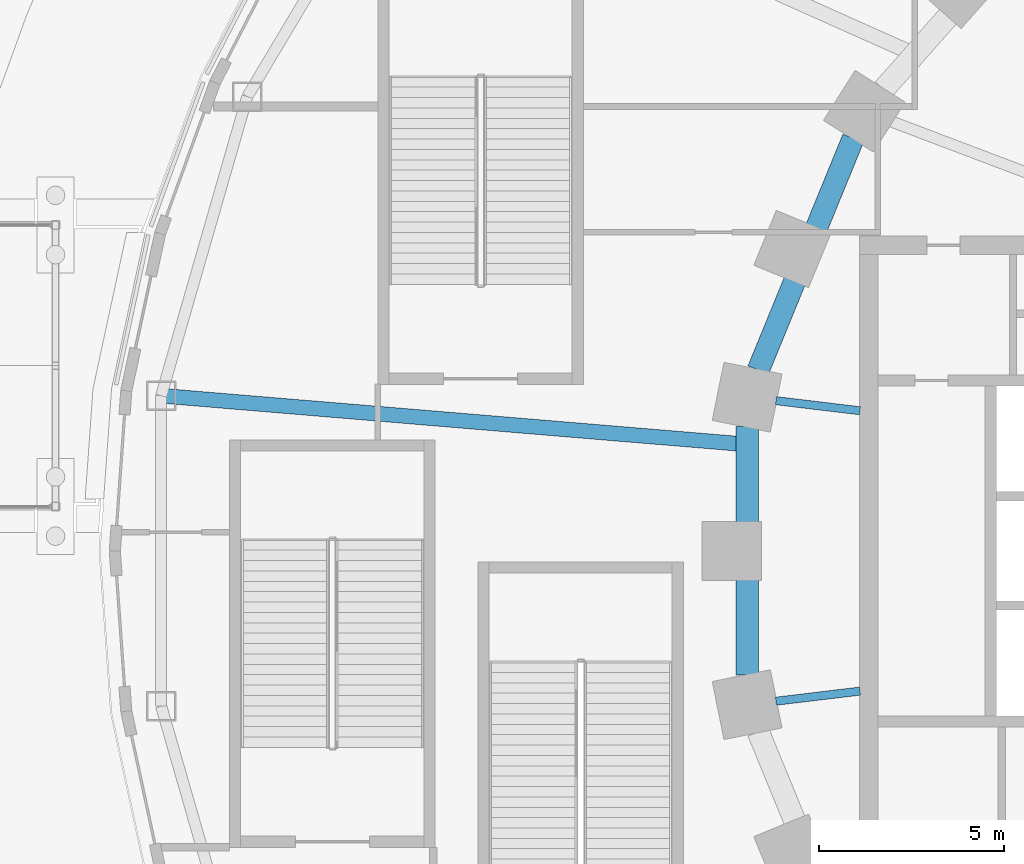
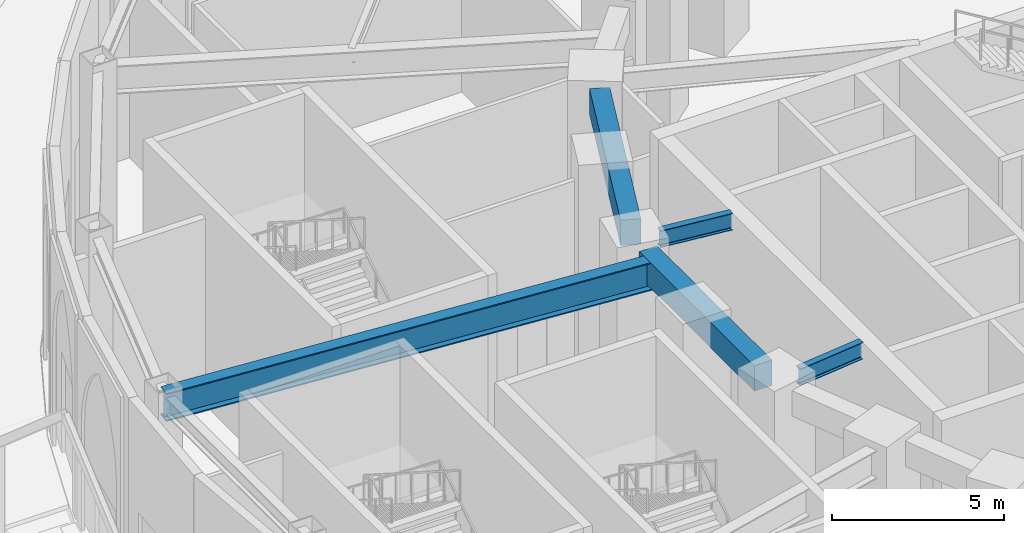
# One storey, part 24 of 79: 5 beams.
"""IFC4 building model written with IfcOpenShell, lengths in metres."""

import ifcopenshell
import ifcopenshell.guid

model = None  # the IFC model being written
_history = None  # IfcOwnerHistory: only IFC2X3 demands one
_inside = {}  # id of a spatial element -> (the spatial element, [elements in it])
_under = {}  # id of a project, library or spatial element -> (it, [spatial elements below it])
_declared = {}  # id of a project -> (the project, [libraries it declares])
_typed = {}  # id of a type object -> (the type object, [elements of that type])
_made_of = {}  # id of a material, layer set ... -> (it, [elements and type objects made of it])


def new_model(schema):
    """Start an empty IFC model of exactly this schema.

    Asked for "IFC4X3", IfcOpenShell would pick the latest addendum, in which some entities
    have other attributes; the version numbers below select the first issue.
    IFC2X3 requires an IfcOwnerHistory on every rooted entity: one is made here for all.
    """
    global model, _history
    if schema == "IFC4X3":
        model = ifcopenshell.file(schema_version=(4, 3, 0, 0))
    else:
        model = ifcopenshell.file(schema=schema)
    _inside.clear()
    _under.clear()
    _declared.clear()
    _typed.clear()
    _made_of.clear()
    _history = None
    if model.schema == "IFC2X3":
        org = make("IfcOrganization", Name="unknown")
        user = make(
            "IfcPersonAndOrganization",
            ThePerson=make("IfcPerson", FamilyName="unknown"),
            TheOrganization=org,
        )
        app = make(
            "IfcApplication",
            ApplicationDeveloper=org,
            Version="unknown",
            ApplicationFullName="unknown",
            ApplicationIdentifier="unknown",
        )
        _history = make(
            "IfcOwnerHistory",
            OwningUser=user,
            OwningApplication=app,
            ChangeAction="ADDED",
            CreationDate=0,
        )
    return model


def make(cls, **values):
    """One entity of the class cls with the attributes given. An attribute that is None is left unset."""
    return model.create_entity(
        cls, **{name: value for name, value in values.items() if value is not None}
    )


def rooted(cls, **values):
    """An entity with a GlobalId (a new one), such as an element, a storey or a relation."""
    return make(cls, GlobalId=ifcopenshell.guid.new(), OwnerHistory=_history, **values)


def si_unit(unit_type, name, prefix=None):
    """IfcSIUnit, for example si_unit("LENGTHUNIT", "METRE", prefix="MILLI")."""
    return make("IfcSIUnit", UnitType=unit_type, Prefix=prefix, Name=name)


def assignment(units):
    """IfcUnitAssignment: the units of a project."""
    return None if units is None else make("IfcUnitAssignment", Units=units)


def point(xyz):
    """IfcCartesianPoint."""
    return None if xyz is None else make("IfcCartesianPoint", Coordinates=xyz)


def direction(xyz):
    """IfcDirection."""
    return None if xyz is None else make("IfcDirection", DirectionRatios=xyz)


def frame(location, z_axis=None, x_axis=None):
    """IfcAxis2Placement3D, a coordinate frame: its origin and axes. An axis left out is left unset."""
    return make(
        "IfcAxis2Placement3D",
        Location=point(location),
        Axis=direction(z_axis),
        RefDirection=direction(x_axis),
    )


def frame_2d(location, x_axis=None):
    """IfcAxis2Placement2D, a coordinate frame in the plane: its origin and x axis."""
    return make(
        "IfcAxis2Placement2D", Location=point(location), RefDirection=direction(x_axis)
    )


def origin():
    """The frame at (0, 0, 0) with its axes left unset."""
    return frame((0.0, 0.0, 0.0))


def origin_2d():
    """The frame at (0, 0) in the plane with its x axis left unset."""
    return frame_2d((0.0, 0.0))


def place(relative_to, where):
    """IfcLocalPlacement: puts the frame where relative to a parent placement (None: the world)."""
    return make(
        "IfcLocalPlacement", PlacementRelTo=relative_to, RelativePlacement=where
    )


def context(
    kind, dimensions, precision=None, world=None, true_north=None, identifier=None
):
    """IfcGeometricRepresentationContext, for example the 3D "Model" context."""
    return make(
        "IfcGeometricRepresentationContext",
        ContextIdentifier=identifier,
        ContextType=kind,
        CoordinateSpaceDimension=dimensions,
        Precision=precision,
        WorldCoordinateSystem=world,
        TrueNorth=true_north,
    )


def subcontext(parent, identifier, kind, view, scale=None):
    """IfcGeometricRepresentationSubContext, for example "Body" below "Model"."""
    return make(
        "IfcGeometricRepresentationSubContext",
        ContextIdentifier=identifier,
        ContextType=kind,
        ParentContext=parent,
        TargetScale=scale,
        TargetView=view,
    )


def project(units=None, contexts=None):
    """IfcProject with its units and contexts."""
    return rooted(
        "IfcProject",
        Name="project",
        RepresentationContexts=contexts,
        UnitsInContext=assignment(units),
    )


def spatial(cls, under=None, at=None, **own):
    """A site, building, storey or space (cls), placed at a placement, below another one or the project."""
    s = rooted(cls, ObjectPlacement=at, **own)
    if under is not None:
        _under.setdefault(under.id(), (under, []))[1].append(s)
    return s


def profile(cls, at=None, kind="AREA", **sizes):
    """A parametric profile (cls). Its sizes go by their IFC names, for example OverallWidth=200.0."""
    return make(cls, ProfileType=kind, Position=at, **sizes)


def rectangle(**sizes):
    """IfcRectangleProfileDef."""
    return profile("IfcRectangleProfileDef", **sizes)


def i_section(**sizes):
    """IfcIShapeProfileDef."""
    return profile("IfcIShapeProfileDef", **sizes)


def extrude(swept, where, along, depth):
    """IfcExtrudedAreaSolid: the profile swept, set in the frame where, extruded along a direction by depth."""
    return make(
        "IfcExtrudedAreaSolid",
        SweptArea=swept,
        Position=where,
        ExtrudedDirection=direction(along),
        Depth=depth,
    )


def shape(context_of_items, identifier, shape_type, items):
    """IfcShapeRepresentation: the items that make up one representation, for example the "Body"."""
    return make(
        "IfcShapeRepresentation",
        ContextOfItems=context_of_items,
        RepresentationIdentifier=identifier,
        RepresentationType=shape_type,
        Items=items,
    )


def material(Name=None, Category=None):
    """IfcMaterial."""
    return make("IfcMaterial", Name=Name, Category=Category)


def material_profile(
    of_material, cross_section, Name=None, Category=None, Priority=None
):
    """IfcMaterialProfile: a cross section and its material."""
    return make(
        "IfcMaterialProfile",
        Name=Name,
        Material=of_material,
        Profile=cross_section,
        Priority=Priority,
        Category=Category,
    )


def profile_set(profiles, Name=None, composite=None):
    """IfcMaterialProfileSet."""
    return make(
        "IfcMaterialProfileSet",
        Name=Name,
        MaterialProfiles=profiles,
        CompositeProfile=composite,
    )


def made_of(thing, what):
    """Note that an element or type object is made of a material, layer set ...; save() writes the relation."""
    if what is not None:
        _made_of.setdefault(what.id(), (what, []))[1].append(thing)
    return thing


def type_object(cls, material=None, **own):
    """A type object (cls), such as IfcWallType, which elements share."""
    return made_of(rooted(cls, **own), material)


def element(
    cls,
    number,
    at=None,
    inside=None,
    cuts=None,
    type_object=None,
    material=None,
    context=None,
    identifier="Body",
    shape_type=None,
    held_by="IfcProductDefinitionShape",
    body=None,
    shapes=None,
    **own,
):
    """One element of the class cls, such as IfcWall. Its Tag is "e" and its number.

    at: its placement. inside: the storey or other place that contains it. cuts: it is an
    opening in that element (IfcRelVoidsElement). A single representation is given by context,
    identifier, shape_type and body (its items); several are given by shapes. held_by: the class
    of the entity that holds the representations. save() writes the other relations.
    """
    e = rooted(cls, Tag="e%d" % number, ObjectPlacement=at, **own)
    if body is not None:
        shapes = [shape(context, identifier, shape_type, body)]
    if shapes is not None:
        e.Representation = make(held_by, Representations=shapes)
    if inside is not None:
        _inside.setdefault(inside.id(), (inside, []))[1].append(e)
    if cuts is not None:
        rooted(
            "IfcRelVoidsElement", RelatingBuildingElement=cuts, RelatedOpeningElement=e
        )
    if type_object is not None:
        _typed.setdefault(type_object.id(), (type_object, []))[1].append(e)
    return made_of(e, material)


def aggregate(whole, parts):
    """IfcRelAggregates: a whole, such as a stair, and the parts it consists of."""
    return rooted("IfcRelAggregates", RelatingObject=whole, RelatedObjects=parts)


def save(model, path):
    """Write the relations noted so far, then the file.

    IfcRelAggregates (storeys below a building ...), IfcRelContainedInSpatialStructure (elements
    in a storey), IfcRelDefinesByType, IfcRelAssociatesMaterial and IfcRelDeclares: one each for
    every whole, place, type object, material and project.
    """
    for whole, parts in _under.values():
        aggregate(whole, parts)
    for where, things in _inside.values():
        rooted(
            "IfcRelContainedInSpatialStructure",
            RelatedElements=things,
            RelatingStructure=where,
        )
    for kind, things in _typed.values():
        rooted("IfcRelDefinesByType", RelatedObjects=things, RelatingType=kind)
    for what, things in _made_of.values():
        rooted("IfcRelAssociatesMaterial", RelatedObjects=things, RelatingMaterial=what)
    for by, libraries in _declared.values():
        rooted("IfcRelDeclares", RelatingContext=by, RelatedDefinitions=libraries)
    model.write(path)


model = new_model("IFC4")

# Units and contexts
model_context = context("Model", 3, precision=1e-05, world=origin(), true_north=direction((0.0, 1.0)))
body_context = subcontext(model_context, "Body", "Model", "MODEL_VIEW")
ifc_project = project(units=[si_unit("LENGTHUNIT", "METRE"), si_unit("AREAUNIT", "SQUARE_METRE"), si_unit("VOLUMEUNIT", "CUBIC_METRE"), si_unit("PLANEANGLEUNIT", "RADIAN"), si_unit("MASSUNIT", "GRAM", prefix="KILO")], contexts=[model_context])

# Site, building, storey
site_placement = place(None, origin())
site = spatial("IfcSite", under=ifc_project, at=site_placement, CompositionType="ELEMENT")
building_placement = place(site_placement, origin())
building = spatial("IfcBuilding", under=site, at=building_placement, Name="Noorbagh Ring Tower", CompositionType="ELEMENT")
storey_placement = place(building_placement, origin())
storey = spatial("IfcBuildingStorey", under=building, at=storey_placement, Name="L00", CompositionType="ELEMENT", Elevation=0.0)

# Beams
ifc_material_1 = material(Name="Steel S355", Category="steel")
ifc_material_profile_1 = material_profile(ifc_material_1, i_section(OverallWidth=0.39990234375, OverallDepth=1.0, WebThickness=0.01611328125, FlangeThickness=0.0400390625, at=origin_2d()), Name="PG1000x400x16x40")
ifc_profile_set_1 = profile_set([ifc_material_profile_1], Name="Steel S355")
beam_type_1 = type_object("IfcBeamType", Name="GND-GIRDER-PG1000x400x16x40", PredefinedType="BEAM", material=ifc_profile_set_1)
beam_1_placement = place(storey_placement, frame((-50.34716796875, 4.191650390625, 6.75), z_axis=(0.996552811546, -0.082960796767, 0.0), x_axis=(0.082960796767, 0.996552811546, 0.0)))
element("IfcBeam", 1, at=beam_1_placement, inside=storey, type_object=beam_type_1, Name="L00/bm/GRP-17", PredefinedType="BEAM", context=body_context, shape_type="SweptSolid", body=[
    extrude(i_section(OverallWidth=0.39990234375, OverallDepth=1.0, WebThickness=0.01611328125, FlangeThickness=0.0400390625, at=origin_2d()), origin(), (0.0, 0.0, 1.0), 15.7470703125),
])
ifc_material_2 = material(Name="Steel S355", Category="steel")
ifc_material_profile_2 = material_profile(ifc_material_2, i_section(OverallWidth=0.219970703125, OverallDepth=0.60009765625, WebThickness=0.011962890625, FlangeThickness=0.01904296875, FilletRadius=0.02392578125, at=origin_2d()), Name="IPE600")
ifc_profile_set_2 = profile_set([ifc_material_profile_2], Name="Steel S355")
beam_type_2 = type_object("IfcBeamType", Name="STR-RAD-IPE600", PredefinedType="BEAM", material=ifc_profile_set_2)
for number, where, z_axis, x_axis, name in (
    (2, (-33.75, 4.057373046875, 6.949951171875), (0.992846993178, -0.11939366875, 0.0), (0.11939366875, 0.992846993178, 0.0), "L00/bm/RD23"),
    (3, (-33.75, -4.057373046875, 6.949951171875), (0.992846993178, 0.11939366875, 0.0), (-0.11939366875, 0.992846993178, 0.0), "L00/bm/RD25"),
):
    element("IfcBeam", number, at=place(storey_placement, frame(where, z_axis=z_axis, x_axis=x_axis)), inside=storey, type_object=beam_type_2, Name=name, PredefinedType="BEAM", context=body_context, shape_type="SweptSolid", body=[
        extrude(i_section(OverallWidth=0.219970703125, OverallDepth=0.60009765625, WebThickness=0.011962890625, FlangeThickness=0.01904296875, FilletRadius=0.02392578125, at=origin_2d()), origin(), (0.0, 0.0, 1.0), 2.2861328125),
    ])
ifc_material_3 = material(Name="Concrete C40/50", Category="concrete")
ifc_material_profile_3 = material_profile(ifc_material_3, rectangle(XDim=0.60009765625, YDim=0.89990234375, at=origin_2d()), Name="RC600x900")
ifc_profile_set_3 = profile_set([ifc_material_profile_3], Name="Concrete C40/50")
beam_type_3 = type_object("IfcBeamType", Name="STR-SB-RC600x900-C40-50", PredefinedType="BEAM", material=ifc_profile_set_3)
beam_2_placement = place(storey_placement, frame((-31.665283203125, 11.137451171875, 6.800048828125), z_axis=(-0.378998692222, -0.925397207308, 0.0), x_axis=(0.925397207308, -0.378998692222, 0.0)))
element("IfcBeam", 4, at=beam_2_placement, inside=storey, type_object=beam_type_3, Name="L00/bm/SP21", PredefinedType="BEAM", context=body_context, shape_type="SweptSolid", body=[
    extrude(rectangle(XDim=0.60009765625, YDim=0.89990234375, at=origin_2d()), origin(), (0.0, 0.0, 1.0), 6.75537109375),
])
beam_3_placement = place(storey_placement, frame((-34.52685546875, 3.354736328125, 6.800048828125), z_axis=(0.0, -1.0, 0.0), x_axis=(1.0, 0.0, 0.0)))
element("IfcBeam", 5, at=beam_3_placement, inside=storey, type_object=beam_type_3, Name="L00/bm/SP23", PredefinedType="BEAM", context=body_context, shape_type="SweptSolid", body=[
    extrude(rectangle(XDim=0.60009765625, YDim=0.89990234375, at=origin_2d()), origin(), (0.0, 0.0, 1.0), 6.70947265625),
])

save(model, "model.ifc")
